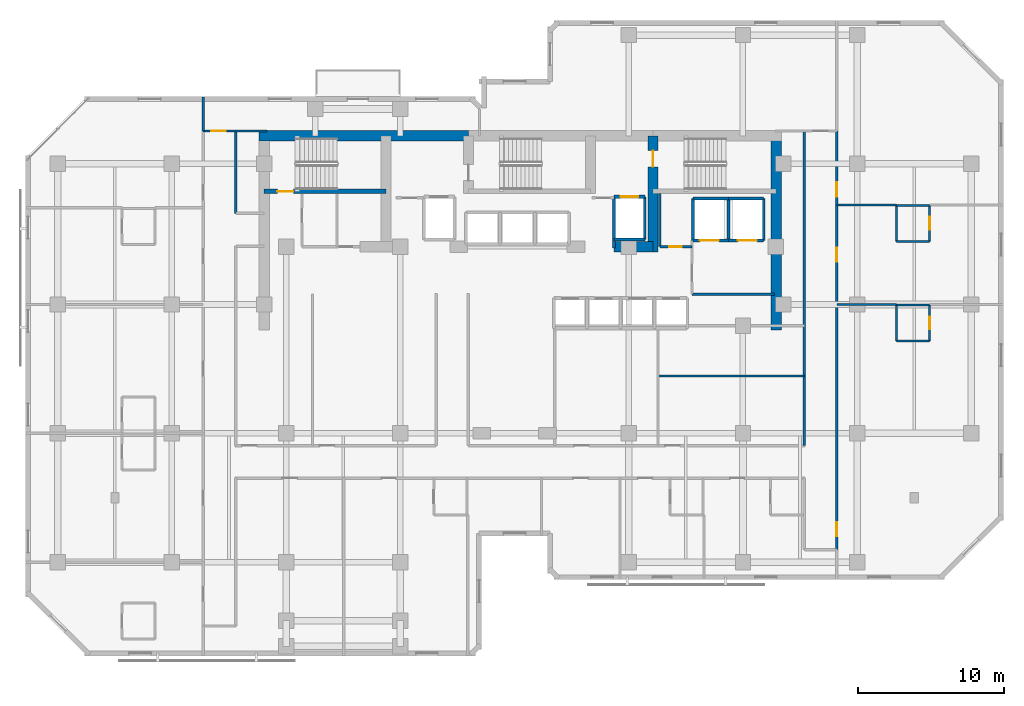
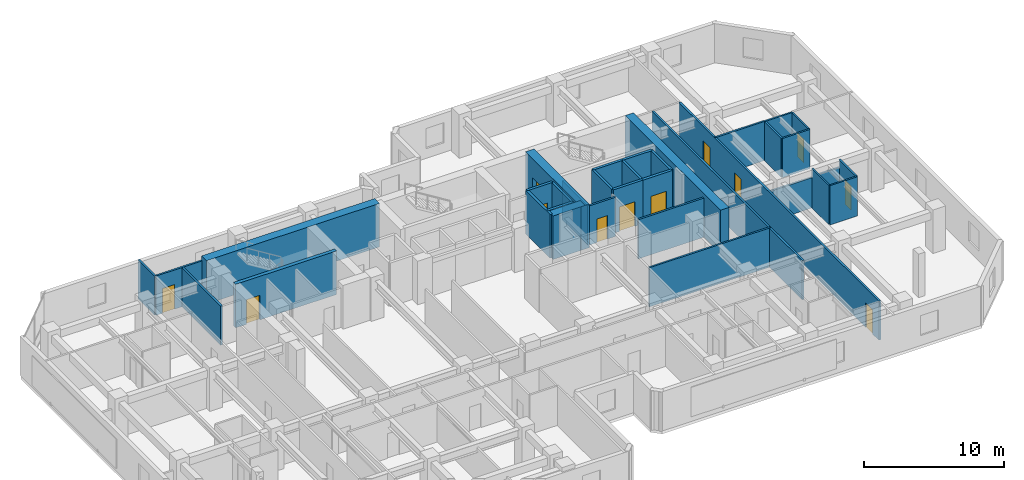
# One storey, part 7 of 11: 35 walls, 12 doors, 12 openings.
"""IFC4 building model written with IfcOpenShell, lengths in metres."""

import ifcopenshell
import ifcopenshell.guid

model = None  # the IFC model being written
_history = None  # IfcOwnerHistory: only IFC2X3 demands one
_inside = {}  # id of a spatial element -> (the spatial element, [elements in it])
_under = {}  # id of a project, library or spatial element -> (it, [spatial elements below it])
_declared = {}  # id of a project -> (the project, [libraries it declares])
_typed = {}  # id of a type object -> (the type object, [elements of that type])
_made_of = {}  # id of a material, layer set ... -> (it, [elements and type objects made of it])


def new_model(schema):
    """Start an empty IFC model of exactly this schema.

    Asked for "IFC4X3", IfcOpenShell would pick the latest addendum, in which some entities
    have other attributes; the version numbers below select the first issue.
    IFC2X3 requires an IfcOwnerHistory on every rooted entity: one is made here for all.
    """
    global model, _history
    if schema == "IFC4X3":
        model = ifcopenshell.file(schema_version=(4, 3, 0, 0))
    else:
        model = ifcopenshell.file(schema=schema)
    _inside.clear()
    _under.clear()
    _declared.clear()
    _typed.clear()
    _made_of.clear()
    _history = None
    if model.schema == "IFC2X3":
        org = make("IfcOrganization", Name="unknown")
        user = make(
            "IfcPersonAndOrganization",
            ThePerson=make("IfcPerson", FamilyName="unknown"),
            TheOrganization=org,
        )
        app = make(
            "IfcApplication",
            ApplicationDeveloper=org,
            Version="unknown",
            ApplicationFullName="unknown",
            ApplicationIdentifier="unknown",
        )
        _history = make(
            "IfcOwnerHistory",
            OwningUser=user,
            OwningApplication=app,
            ChangeAction="ADDED",
            CreationDate=0,
        )
    return model


def make(cls, **values):
    """One entity of the class cls with the attributes given. An attribute that is None is left unset."""
    return model.create_entity(
        cls, **{name: value for name, value in values.items() if value is not None}
    )


def rooted(cls, **values):
    """An entity with a GlobalId (a new one), such as an element, a storey or a relation."""
    return make(cls, GlobalId=ifcopenshell.guid.new(), OwnerHistory=_history, **values)


def si_unit(unit_type, name, prefix=None):
    """IfcSIUnit, for example si_unit("LENGTHUNIT", "METRE", prefix="MILLI")."""
    return make("IfcSIUnit", UnitType=unit_type, Prefix=prefix, Name=name)


def assignment(units):
    """IfcUnitAssignment: the units of a project."""
    return None if units is None else make("IfcUnitAssignment", Units=units)


def point(xyz):
    """IfcCartesianPoint."""
    return None if xyz is None else make("IfcCartesianPoint", Coordinates=xyz)


def direction(xyz):
    """IfcDirection."""
    return None if xyz is None else make("IfcDirection", DirectionRatios=xyz)


def frame(location, z_axis=None, x_axis=None):
    """IfcAxis2Placement3D, a coordinate frame: its origin and axes. An axis left out is left unset."""
    return make(
        "IfcAxis2Placement3D",
        Location=point(location),
        Axis=direction(z_axis),
        RefDirection=direction(x_axis),
    )


def frame_2d(location, x_axis=None):
    """IfcAxis2Placement2D, a coordinate frame in the plane: its origin and x axis."""
    return make(
        "IfcAxis2Placement2D", Location=point(location), RefDirection=direction(x_axis)
    )


def origin():
    """The frame at (0, 0, 0) with its axes left unset."""
    return frame((0.0, 0.0, 0.0))


def place(relative_to, where):
    """IfcLocalPlacement: puts the frame where relative to a parent placement (None: the world)."""
    return make(
        "IfcLocalPlacement", PlacementRelTo=relative_to, RelativePlacement=where
    )


def context(
    kind, dimensions, precision=None, world=None, true_north=None, identifier=None
):
    """IfcGeometricRepresentationContext, for example the 3D "Model" context."""
    return make(
        "IfcGeometricRepresentationContext",
        ContextIdentifier=identifier,
        ContextType=kind,
        CoordinateSpaceDimension=dimensions,
        Precision=precision,
        WorldCoordinateSystem=world,
        TrueNorth=true_north,
    )


def subcontext(parent, identifier, kind, view, scale=None):
    """IfcGeometricRepresentationSubContext, for example "Body" below "Model"."""
    return make(
        "IfcGeometricRepresentationSubContext",
        ContextIdentifier=identifier,
        ContextType=kind,
        ParentContext=parent,
        TargetScale=scale,
        TargetView=view,
    )


def project(units=None, contexts=None):
    """IfcProject with its units and contexts."""
    return rooted(
        "IfcProject",
        Name="project",
        RepresentationContexts=contexts,
        UnitsInContext=assignment(units),
    )


def spatial(cls, under=None, at=None, **own):
    """A site, building, storey or space (cls), placed at a placement, below another one or the project."""
    s = rooted(cls, ObjectPlacement=at, **own)
    if under is not None:
        _under.setdefault(under.id(), (under, []))[1].append(s)
    return s


def profile(cls, at=None, kind="AREA", **sizes):
    """A parametric profile (cls). Its sizes go by their IFC names, for example OverallWidth=200.0."""
    return make(cls, ProfileType=kind, Position=at, **sizes)


def rectangle(**sizes):
    """IfcRectangleProfileDef."""
    return profile("IfcRectangleProfileDef", **sizes)


def extrude(swept, where, along, depth):
    """IfcExtrudedAreaSolid: the profile swept, set in the frame where, extruded along a direction by depth."""
    return make(
        "IfcExtrudedAreaSolid",
        SweptArea=swept,
        Position=where,
        ExtrudedDirection=direction(along),
        Depth=depth,
    )


def shape(context_of_items, identifier, shape_type, items):
    """IfcShapeRepresentation: the items that make up one representation, for example the "Body"."""
    return make(
        "IfcShapeRepresentation",
        ContextOfItems=context_of_items,
        RepresentationIdentifier=identifier,
        RepresentationType=shape_type,
        Items=items,
    )


def material(Name=None, Category=None):
    """IfcMaterial."""
    return make("IfcMaterial", Name=Name, Category=Category)


def layer(
    of_material, thickness, ventilated=None, Name=None, Category=None, Priority=None
):
    """IfcMaterialLayer: one layer of a wall or slab, of a material (None: an air gap)."""
    return make(
        "IfcMaterialLayer",
        Material=of_material,
        LayerThickness=thickness,
        IsVentilated=ventilated,
        Name=Name,
        Category=Category,
        Priority=Priority,
    )


def layer_set(layers, Name=None):
    """IfcMaterialLayerSet."""
    return make("IfcMaterialLayerSet", MaterialLayers=layers, LayerSetName=Name)


def made_of(thing, what):
    """Note that an element or type object is made of a material, layer set ...; save() writes the relation."""
    if what is not None:
        _made_of.setdefault(what.id(), (what, []))[1].append(thing)
    return thing


def type_object(cls, material=None, **own):
    """A type object (cls), such as IfcWallType, which elements share."""
    return made_of(rooted(cls, **own), material)


def element(
    cls,
    number,
    at=None,
    inside=None,
    cuts=None,
    type_object=None,
    material=None,
    context=None,
    identifier="Body",
    shape_type=None,
    held_by="IfcProductDefinitionShape",
    body=None,
    shapes=None,
    **own,
):
    """One element of the class cls, such as IfcWall. Its Tag is "e" and its number.

    at: its placement. inside: the storey or other place that contains it. cuts: it is an
    opening in that element (IfcRelVoidsElement). A single representation is given by context,
    identifier, shape_type and body (its items); several are given by shapes. held_by: the class
    of the entity that holds the representations. save() writes the other relations.
    """
    e = rooted(cls, Tag="e%d" % number, ObjectPlacement=at, **own)
    if body is not None:
        shapes = [shape(context, identifier, shape_type, body)]
    if shapes is not None:
        e.Representation = make(held_by, Representations=shapes)
    if inside is not None:
        _inside.setdefault(inside.id(), (inside, []))[1].append(e)
    if cuts is not None:
        rooted(
            "IfcRelVoidsElement", RelatingBuildingElement=cuts, RelatedOpeningElement=e
        )
    if type_object is not None:
        _typed.setdefault(type_object.id(), (type_object, []))[1].append(e)
    return made_of(e, material)


def fill(opening, filler):
    """IfcRelFillsElement: the door or window that sits in an opening."""
    return rooted(
        "IfcRelFillsElement",
        RelatingOpeningElement=opening,
        RelatedBuildingElement=filler,
    )


def aggregate(whole, parts):
    """IfcRelAggregates: a whole, such as a stair, and the parts it consists of."""
    return rooted("IfcRelAggregates", RelatingObject=whole, RelatedObjects=parts)


def save(model, path):
    """Write the relations noted so far, then the file.

    IfcRelAggregates (storeys below a building ...), IfcRelContainedInSpatialStructure (elements
    in a storey), IfcRelDefinesByType, IfcRelAssociatesMaterial and IfcRelDeclares: one each for
    every whole, place, type object, material and project.
    """
    for whole, parts in _under.values():
        aggregate(whole, parts)
    for where, things in _inside.values():
        rooted(
            "IfcRelContainedInSpatialStructure",
            RelatedElements=things,
            RelatingStructure=where,
        )
    for kind, things in _typed.values():
        rooted("IfcRelDefinesByType", RelatedObjects=things, RelatingType=kind)
    for what, things in _made_of.values():
        rooted("IfcRelAssociatesMaterial", RelatedObjects=things, RelatingMaterial=what)
    for by, libraries in _declared.values():
        rooted("IfcRelDeclares", RelatingContext=by, RelatedDefinitions=libraries)
    model.write(path)


model = new_model("IFC4")

# Units and contexts
model_context = context("Model", 3, precision=1e-05, world=origin(), true_north=direction((0.0, 1.0)))
body_context = subcontext(model_context, "Body", "Model", "MODEL_VIEW")
ifc_project = project(units=[si_unit("LENGTHUNIT", "METRE"), si_unit("AREAUNIT", "SQUARE_METRE"), si_unit("VOLUMEUNIT", "CUBIC_METRE"), si_unit("PLANEANGLEUNIT", "RADIAN"), si_unit("MASSUNIT", "GRAM", prefix="KILO")], contexts=[model_context])

# Site, building, storey
site_placement = place(None, origin())
site = spatial("IfcSite", under=ifc_project, at=site_placement, CompositionType="ELEMENT")
building_placement = place(site_placement, origin())
building = spatial("IfcBuilding", under=site, at=building_placement, Name="Kestravale Grand Hotel", CompositionType="ELEMENT")
storey_placement = place(building_placement, frame((0.0, 0.0, 180.199951171875)))
storey = spatial("IfcBuildingStorey", under=building, at=storey_placement, Name="L45", CompositionType="ELEMENT", Elevation=180.199951171875)

# Walls
ifc_material_1 = material(Name="Concrete f'c 60 MPa", Category="concrete")
ifc_layer_1 = layer(ifc_material_1, 0.699951171875)
ifc_layer_set_1 = layer_set([ifc_layer_1], Name="EW-CORE-700")
wall_type_1 = type_object("IfcWallType", Name="EW-CORE-700", PredefinedType="SHEAR", material=ifc_layer_set_1)
wall_1_placement = place(storey_placement, frame((21.550048828125, 40.320068359375, 0.0), z_axis=(0.0, 0.0, 1.0), x_axis=(1.0, 0.0, 0.0)))
element("IfcWall", 1, at=wall_1_placement, inside=storey, type_object=wall_type_1, Name="L45 core shear wall N1", PredefinedType="SHEAR", context=body_context, shape_type="SweptSolid", body=[
    extrude(rectangle(XDim=14.300048828125, YDim=0.699951171875, at=frame_2d((7.14990234375, 0.0))), origin(), (0.0, 0.0, 1.0), 3.800048828125),
])
wall_2_placement = place(storey_placement, frame((56.8701171875, 27.050048828125, 0.0), z_axis=(0.0, 0.0, 1.0), x_axis=(0.0, 1.0, 0.0)))
element("IfcWall", 2, at=wall_2_placement, inside=storey, type_object=wall_type_1, Name="L45 core shear wall E1", PredefinedType="SHEAR", context=body_context, shape_type="SweptSolid", body=[
    extrude(rectangle(XDim=13.619873046875, YDim=0.699951171875, at=frame_2d((6.81005859375, 0.0))), origin(), (0.0, 0.0, 1.0), 3.800048828125),
])
wall_3_placement = place(storey_placement, frame((45.81005859375, 32.75, 0.0), z_axis=(0.0, 0.0, 1.0), x_axis=(1.0, 0.0, 0.0)))
element("IfcWall", 3, at=wall_3_placement, inside=storey, type_object=wall_type_1, Name="L45 core shear wall S2", PredefinedType="SHEAR", context=body_context, shape_type="SweptSolid", body=[
    extrude(rectangle(XDim=2.639892578125, YDim=0.699951171875, at=frame_2d((1.31982421875, 0.0))), origin(), (0.0, 0.0, 1.0), 3.800048828125),
])

# Wall, opening, door
wall_4_placement = place(storey_placement, frame((48.449951171875, 32.39990234375, 0.0), z_axis=(0.0, 0.0, 1.0), x_axis=(0.0, 1.0, 0.0)))
wall_4 = element("IfcWall", 4, at=wall_4_placement, inside=storey, type_object=wall_type_1, Name="L45 core shear wall X4", PredefinedType="SHEAR", context=body_context, shape_type="SweptSolid", body=[
    extrude(rectangle(XDim=7.920166015625, YDim=0.699951171875, at=frame_2d((3.9599609375, 0.0))), origin(), (0.0, 0.0, 1.0), 3.800048828125),
])
opening_1_placement = place(wall_4_placement, frame((5.800048828125, 0.0, 0.0)))
opening_1 = element("IfcOpeningElement", 5, at=opening_1_placement, cuts=wall_4, Name="Opening D-ST-1100", PredefinedType="OPENING", context=body_context, shape_type="SweptSolid", body=[
    extrude(rectangle(XDim=1.10009765625, YDim=2.14990234375, at=frame_2d((0.550048828125, 1.074951171875))), frame((0.0, 0.35986328125, 0.0), z_axis=(0.0, -1.0, 0.0), x_axis=(1.0, 0.0, 0.0)), (0.0, 0.0, 1.0), 0.719970703125),
])
ifc_material_2 = material(Name="Galvanised 90-minute fire-rated steel stair door", Category="steel")
door_type_1 = type_object("IfcDoorType", Name="D-ST-1100", OperationType="NOTDEFINED", PredefinedType="DOOR", material=ifc_material_2)
door_1_placement = place(opening_1_placement, origin())
door_1 = element("IfcDoor", 6, at=door_1_placement, inside=storey, type_object=door_type_1, Name="L45 Stair ST-3 FSAE fire door", OperationType="SINGLE_SWING_RIGHT", OverallHeight=2.14990234375, OverallWidth=1.10009765625, PredefinedType="DOOR", context=body_context, shape_type="SweptSolid", body=[
    extrude(rectangle(XDim=1.10009765625, YDim=2.14990234375, at=frame_2d((0.550048828125, 1.074951171875))), frame((0.0, 0.02490234375, 0.0), z_axis=(0.0, -1.0, 0.0), x_axis=(1.0, 0.0, 0.0)), (0.0, 0.0, 1.0), 0.050048828125),
])
fill(opening_1, door_1)

ifc_material_3 = material(Name="Concrete f'c 45 MPa", Category="concrete")
ifc_layer_2 = layer(ifc_material_3, 0.300048828125)
ifc_layer_set_2 = layer_set([ifc_layer_2], Name="EW-STAIR-300")
wall_type_2 = type_object("IfcWallType", Name="EW-STAIR-300", PredefinedType="SHEAR", material=ifc_layer_set_2)
wall_5_placement = place(storey_placement, frame((21.89990234375, 36.52001953125, 0.0), z_axis=(0.0, 0.0, 1.0), x_axis=(1.0, 0.0, 0.0)))
wall_5 = element("IfcWall", 7, at=wall_5_placement, inside=storey, type_object=wall_type_2, Name="L45 stair enclosure shear wall SST1", PredefinedType="SHEAR", context=body_context, shape_type="SweptSolid", body=[
    extrude(rectangle(XDim=8.320068359375, YDim=0.300048828125, at=frame_2d((4.16015625, 0.0))), origin(), (0.0, 0.0, 1.0), 3.800048828125),
])
opening_2_placement = place(wall_5_placement, frame((0.89990234375, 0.0, 0.0)))
opening_2 = element("IfcOpeningElement", 8, at=opening_2_placement, cuts=wall_5, Name="Opening D-ST-1100", PredefinedType="OPENING", context=body_context, shape_type="SweptSolid", body=[
    extrude(rectangle(XDim=1.10009765625, YDim=2.14990234375, at=frame_2d((0.550048828125, 1.074951171875))), frame((0.0, 0.159912109375, 0.0), z_axis=(0.0, -1.0, 0.0), x_axis=(1.0, 0.0, 0.0)), (0.0, 0.0, 1.0), 0.320068359375),
])
door_2_placement = place(opening_2_placement, origin())
door_2 = element("IfcDoor", 9, at=door_2_placement, inside=storey, type_object=door_type_1, Name="L45 Stair ST-1 fire door", OperationType="SINGLE_SWING_RIGHT", OverallHeight=2.14990234375, OverallWidth=1.10009765625, PredefinedType="DOOR", context=body_context, shape_type="SweptSolid", body=[
    extrude(rectangle(XDim=1.10009765625, YDim=2.14990234375, at=frame_2d((0.550048828125, 1.074951171875))), frame((0.0, 0.02490234375, 0.0), z_axis=(0.0, -1.0, 0.0), x_axis=(1.0, 0.0, 0.0)), (0.0, 0.0, 1.0), 0.050048828125),
])
fill(opening_2, door_2)

# Wall
ifc_material_4 = material(Name="Acoustic fire-rated gypsum board partition", Category="other")
ifc_layer_3 = layer(ifc_material_4, 0.159912109375)
ifc_layer_set_3 = layer_set([ifc_layer_3], Name="IW-CORR-160")
wall_type_3 = type_object("IfcWallType", Name="IW-CORR-160", PredefinedType="PARTITIONING", material=ifc_layer_set_3)
wall_6_placement = place(storey_placement, frame((51.1201171875, 29.5, 0.0), z_axis=(0.0, 0.0, 1.0), x_axis=(1.0, 0.0, 0.0)))
element("IfcWall", 10, at=wall_6_placement, inside=storey, type_object=wall_type_3, Name="L45 service lift lobby wall", PredefinedType="PARTITIONING", context=body_context, shape_type="SweptSolid", body=[
    extrude(rectangle(XDim=5.6298828125, YDim=0.159912109375, at=frame_2d((2.81494140625, 0.0))), origin(), (0.0, 0.0, 1.0), 3.420166015625),
])

# Wall, opening, door
wall_7_placement = place(storey_placement, frame((48.919921875, 32.75, 0.0), z_axis=(0.0, 0.0, 1.0), x_axis=(1.0, 0.0, 0.0)))
wall_7 = element("IfcWall", 11, at=wall_7_placement, inside=storey, type_object=wall_type_3, Name="W-L45-CES", PredefinedType="PARTITIONING", context=body_context, shape_type="SweptSolid", body=[
    extrude(rectangle(XDim=2.2001953125, YDim=0.159912109375, at=frame_2d((1.10009765625, 0.0))), origin(), (0.0, 0.0, 1.0), 3.420166015625),
])
opening_3_placement = place(wall_7_placement, frame((0.64990234375, 0.0, 0.0)))
opening_3 = element("IfcOpeningElement", 12, at=opening_3_placement, cuts=wall_7, Name="Opening D-SH-860", PredefinedType="OPENING", context=body_context, shape_type="SweptSolid", body=[
    extrude(rectangle(XDim=0.860107421875, YDim=2.050048828125, at=frame_2d((0.43017578125, 1.02490234375))), frame((0.0, 0.08984375, 0.0), z_axis=(0.0, -1.0, 0.0), x_axis=(1.0, 0.0, 0.0)), (0.0, 0.0, 1.0), 0.179931640625),
])
ifc_material_5 = material(Name="Galvanised 90-minute riser fire door", Category="steel")
door_type_2 = type_object("IfcDoorType", Name="D-SH-860", OperationType="NOTDEFINED", PredefinedType="DOOR", material=ifc_material_5)
door_3_placement = place(opening_3_placement, origin())
door_3 = element("IfcDoor", 13, at=door_3_placement, inside=storey, type_object=door_type_2, Name="L45 CSTO1 door", OperationType="SINGLE_SWING_RIGHT", OverallHeight=2.050048828125, OverallWidth=0.860107421875, PredefinedType="DOOR", context=body_context, shape_type="SweptSolid", body=[
    extrude(rectangle(XDim=0.860107421875, YDim=2.050048828125, at=frame_2d((0.43017578125, 1.02490234375))), frame((0.0, 0.02490234375, 0.0), z_axis=(0.0, -1.0, 0.0), x_axis=(1.0, 0.0, 0.0)), (0.0, 0.0, 1.0), 0.050048828125),
])
fill(opening_3, door_3)

# Wall
wall_8_placement = place(storey_placement, frame((19.9599609375, 35.02001953125, 0.0), z_axis=(0.0, 0.0, 1.0), x_axis=(0.0, 1.0, 0.0)))
element("IfcWall", 14, at=wall_8_placement, inside=storey, type_object=wall_type_3, Name="W-L45-SW-EN", PredefinedType="PARTITIONING", context=body_context, shape_type="SweptSolid", body=[
    extrude(rectangle(XDim=5.6298828125, YDim=0.159912109375, at=frame_2d((2.81494140625, 0.0))), origin(), (0.0, 0.0, 1.0), 3.420166015625),
])

# Wall, openings, doors
wall_9_placement = place(storey_placement, frame((61.010009765625, 12.050048828125, 0.0), z_axis=(0.0, 0.0, 1.0), x_axis=(0.0, 1.0, 0.0)))
wall_9 = element("IfcWall", 15, at=wall_9_placement, inside=storey, type_object=wall_type_3, Name="W-L45-SE-E", PredefinedType="PARTITIONING", context=body_context, shape_type="SweptSolid", body=[
    extrude(rectangle(XDim=28.599853515625, YDim=0.159912109375, at=frame_2d((14.2998046875, 0.0))), origin(), (0.0, 0.0, 1.0), 3.420166015625),
])
opening_4_placement = place(wall_9_placement, frame((0.925048828125, 0.0, 0.0)))
opening_4 = element("IfcOpeningElement", 16, at=opening_4_placement, cuts=wall_9, Name="Opening D-GUEST-950", PredefinedType="OPENING", context=body_context, shape_type="SweptSolid", body=[
    extrude(rectangle(XDim=0.949951171875, YDim=2.10009765625, at=frame_2d((0.47509765625, 1.050048828125))), frame((0.0, 0.08984375, 0.0), z_axis=(0.0, -1.0, 0.0), x_axis=(1.0, 0.0, 0.0)), (0.0, 0.0, 1.0), 0.179931640625),
])
opening_5_placement = place(wall_9_placement, frame((19.675048828125, 0.0, 0.0)))
opening_5 = element("IfcOpeningElement", 17, at=opening_5_placement, cuts=wall_9, Name="Opening D-GUEST-950", PredefinedType="OPENING", context=body_context, shape_type="SweptSolid", body=[
    extrude(rectangle(XDim=0.949951171875, YDim=2.10009765625, at=frame_2d((0.47509765625, 1.050048828125))), frame((0.0, 0.08984375, 0.0), z_axis=(0.0, -1.0, 0.0), x_axis=(1.0, 0.0, 0.0)), (0.0, 0.0, 1.0), 0.179931640625),
])
opening_6_placement = place(wall_9_placement, frame((24.10009765625, 0.0, 0.0)))
opening_6 = element("IfcOpeningElement", 18, at=opening_6_placement, cuts=wall_9, Name="Opening D-GUEST-1000", PredefinedType="OPENING", context=body_context, shape_type="SweptSolid", body=[
    extrude(rectangle(XDim=1.0, YDim=2.14990234375, at=frame_2d((0.5, 1.074951171875))), frame((0.0, 0.08984375, 0.0), z_axis=(0.0, -1.0, 0.0), x_axis=(1.0, 0.0, 0.0)), (0.0, 0.0, 1.0), 0.179931640625),
])
ifc_material_6 = material(Name="Accessible walnut veneer hotel entrance fire door", Category="wood")
door_type_3 = type_object("IfcDoorType", Name="D-GUEST-1000", OperationType="NOTDEFINED", PredefinedType="DOOR", material=ifc_material_6)
door_4_placement = place(opening_6_placement, origin())
door_4 = element("IfcDoor", 19, at=door_4_placement, inside=storey, type_object=door_type_3, Name="D-L45-AMEW", OperationType="SINGLE_SWING_RIGHT", OverallHeight=2.14990234375, OverallWidth=1.0, PredefinedType="DOOR", context=body_context, shape_type="SweptSolid", body=[
    extrude(rectangle(XDim=1.0, YDim=2.14990234375, at=frame_2d((0.5, 1.074951171875))), frame((0.0, 0.02490234375, 0.0), z_axis=(0.0, -1.0, 0.0), x_axis=(1.0, 0.0, 0.0)), (0.0, 0.0, 1.0), 0.050048828125),
])
fill(opening_6, door_4)
ifc_material_7 = material(Name="Walnut veneer hotel guestroom entrance fire door", Category="wood")
door_type_4 = type_object("IfcDoorType", Name="D-GUEST-950", OperationType="NOTDEFINED", PredefinedType="DOOR", material=ifc_material_7)
door_5_placement = place(opening_4_placement, origin())
door_5 = element("IfcDoor", 20, at=door_5_placement, inside=storey, type_object=door_type_4, Name="D-L45-U08-ENT", OperationType="SINGLE_SWING_LEFT", OverallHeight=2.10009765625, OverallWidth=0.949951171875, PredefinedType="DOOR", context=body_context, shape_type="SweptSolid", body=[
    extrude(rectangle(XDim=0.949951171875, YDim=2.10009765625, at=frame_2d((0.47509765625, 1.050048828125))), frame((0.0, 0.02490234375, 0.0), z_axis=(0.0, -1.0, 0.0), x_axis=(1.0, 0.0, 0.0)), (0.0, 0.0, 1.0), 0.050048828125),
])
fill(opening_4, door_5)
door_6_placement = place(opening_5_placement, origin())
door_6 = element("IfcDoor", 21, at=door_6_placement, inside=storey, type_object=door_type_4, Name="D-L45-U09-ENT", OperationType="SINGLE_SWING_LEFT", OverallHeight=2.10009765625, OverallWidth=0.949951171875, PredefinedType="DOOR", context=body_context, shape_type="SweptSolid", body=[
    extrude(rectangle(XDim=0.949951171875, YDim=2.10009765625, at=frame_2d((0.47509765625, 1.050048828125))), frame((0.0, 0.02490234375, 0.0), z_axis=(0.0, -1.0, 0.0), x_axis=(1.0, 0.0, 0.0)), (0.0, 0.0, 1.0), 0.050048828125),
])
fill(opening_5, door_6)

# Walls
wall_10_placement = place(storey_placement, frame((58.7900390625, 19.159912109375, 0.0), z_axis=(0.0, 0.0, 1.0), x_axis=(0.0, 1.0, 0.0)))
element("IfcWall", 22, at=wall_10_placement, inside=storey, type_object=wall_type_3, Name="W-L45-SE-WU", PredefinedType="PARTITIONING", context=body_context, shape_type="SweptSolid", body=[
    extrude(rectangle(XDim=21.489990234375, YDim=0.159912109375, at=frame_2d((10.7451171875, 0.0))), origin(), (0.0, 0.0, 1.0), 3.420166015625),
])
ifc_material_8 = material(Name="Moisture-resistant tile-backer plumbing chase wall", Category="other")
ifc_layer_4 = layer(ifc_material_8, 0.139892578125)
ifc_layer_set_4 = layer_set([ifc_layer_4], Name="IW-PLB-140")
wall_type_4 = type_object("IfcWallType", Name="IW-PLB-140", PredefinedType="PLUMBINGWALL", material=ifc_layer_set_4)
wall_11_placement = place(storey_placement, frame((65.10009765625, 26.31005859375, 0.0), z_axis=(0.0, 0.0, 1.0), x_axis=(0.0, 1.0, 0.0)))
element("IfcWall", 23, at=wall_11_placement, inside=storey, type_object=wall_type_4, Name="W-L45-U08-BW", PredefinedType="PLUMBINGWALL", context=body_context, shape_type="SweptSolid", body=[
    extrude(rectangle(XDim=2.449951171875, YDim=0.139892578125, at=frame_2d((1.22509765625, 0.0))), origin(), (0.0, 0.0, 1.0), 3.420166015625),
])

# Wall, opening, door
wall_12_placement = place(storey_placement, frame((67.35009765625, 26.31005859375, 0.0), z_axis=(0.0, 0.0, 1.0), x_axis=(0.0, 1.0, 0.0)))
wall_12 = element("IfcWall", 24, at=wall_12_placement, inside=storey, type_object=wall_type_4, Name="W-L45-U08-BE", PredefinedType="PLUMBINGWALL", context=body_context, shape_type="SweptSolid", body=[
    extrude(rectangle(XDim=2.449951171875, YDim=0.139892578125, at=frame_2d((1.22509765625, 0.0))), origin(), (0.0, 0.0, 1.0), 3.420166015625),
])
opening_7_placement = place(wall_12_placement, frame((0.784912109375, 0.0, 0.0)))
opening_7 = element("IfcOpeningElement", 25, at=opening_7_placement, cuts=wall_12, Name="Opening D-BATH-880", PredefinedType="OPENING", context=body_context, shape_type="SweptSolid", body=[
    extrude(rectangle(XDim=0.8798828125, YDim=2.050048828125, at=frame_2d((0.43994140625, 1.02490234375))), frame((0.0, 0.079833984375, 0.0), z_axis=(0.0, -1.0, 0.0), x_axis=(1.0, 0.0, 0.0)), (0.0, 0.0, 1.0), 0.159912109375),
])
ifc_material_9 = material(Name="Moisture-sealed walnut en-suite bathroom door", Category="wood")
door_type_5 = type_object("IfcDoorType", Name="D-BATH-880", OperationType="NOTDEFINED", PredefinedType="DOOR", material=ifc_material_9)
door_7_placement = place(opening_7_placement, origin())
door_7 = element("IfcDoor", 26, at=door_7_placement, inside=storey, type_object=door_type_5, Name="D-L45-U08-BATH", OperationType="SINGLE_SWING_RIGHT", OverallHeight=2.050048828125, OverallWidth=0.8798828125, PredefinedType="DOOR", context=body_context, shape_type="SweptSolid", body=[
    extrude(rectangle(XDim=0.8798828125, YDim=2.050048828125, at=frame_2d((0.43994140625, 1.02490234375))), frame((0.0, 0.02490234375, 0.0), z_axis=(0.0, -1.0, 0.0), x_axis=(1.0, 0.0, 0.0)), (0.0, 0.0, 1.0), 0.050048828125),
])
fill(opening_7, door_7)

# Walls
wall_13_placement = place(storey_placement, frame((65.10009765625, 26.31005859375, 0.0), z_axis=(0.0, 0.0, 1.0), x_axis=(1.0, 0.0, 0.0)))
element("IfcWall", 27, at=wall_13_placement, inside=storey, type_object=wall_type_4, Name="W-L45-U08-BS", PredefinedType="PLUMBINGWALL", context=body_context, shape_type="SweptSolid", body=[
    extrude(rectangle(XDim=2.25, YDim=0.139892578125, at=frame_2d((1.125, 0.0))), origin(), (0.0, 0.0, 1.0), 3.420166015625),
])
wall_14_placement = place(storey_placement, frame((65.10009765625, 28.760009765625, 0.0), z_axis=(0.0, 0.0, 1.0), x_axis=(1.0, 0.0, 0.0)))
element("IfcWall", 28, at=wall_14_placement, inside=storey, type_object=wall_type_4, Name="W-L45-U08-BN", PredefinedType="PLUMBINGWALL", context=body_context, shape_type="SweptSolid", body=[
    extrude(rectangle(XDim=2.25, YDim=0.139892578125, at=frame_2d((1.125, 0.0))), origin(), (0.0, 0.0, 1.0), 2.77001953125),
])
wall_15_placement = place(storey_placement, frame((65.10009765625, 33.110107421875, 0.0), z_axis=(0.0, 0.0, 1.0), x_axis=(0.0, 1.0, 0.0)))
element("IfcWall", 29, at=wall_15_placement, inside=storey, type_object=wall_type_4, Name="W-L45-U09-BW", PredefinedType="PLUMBINGWALL", context=body_context, shape_type="SweptSolid", body=[
    extrude(rectangle(XDim=2.449951171875, YDim=0.139892578125, at=frame_2d((1.22509765625, 0.0))), origin(), (0.0, 0.0, 1.0), 3.420166015625),
])

# Wall, opening, door
wall_16_placement = place(storey_placement, frame((67.35009765625, 33.110107421875, 0.0), z_axis=(0.0, 0.0, 1.0), x_axis=(0.0, 1.0, 0.0)))
wall_16 = element("IfcWall", 30, at=wall_16_placement, inside=storey, type_object=wall_type_4, Name="W-L45-U09-BE", PredefinedType="PLUMBINGWALL", context=body_context, shape_type="SweptSolid", body=[
    extrude(rectangle(XDim=2.449951171875, YDim=0.139892578125, at=frame_2d((1.22509765625, 0.0))), origin(), (0.0, 0.0, 1.0), 3.420166015625),
])
opening_8_placement = place(wall_16_placement, frame((0.784912109375, 0.0, 0.0)))
opening_8 = element("IfcOpeningElement", 31, at=opening_8_placement, cuts=wall_16, Name="Opening D-BATH-880", PredefinedType="OPENING", context=body_context, shape_type="SweptSolid", body=[
    extrude(rectangle(XDim=0.8798828125, YDim=2.050048828125, at=frame_2d((0.43994140625, 1.02490234375))), frame((0.0, 0.079833984375, 0.0), z_axis=(0.0, -1.0, 0.0), x_axis=(1.0, 0.0, 0.0)), (0.0, 0.0, 1.0), 0.159912109375),
])
door_8_placement = place(opening_8_placement, origin())
door_8 = element("IfcDoor", 32, at=door_8_placement, inside=storey, type_object=door_type_5, Name="D-L45-U09-BATH", OperationType="SINGLE_SWING_RIGHT", OverallHeight=2.050048828125, OverallWidth=0.8798828125, PredefinedType="DOOR", context=body_context, shape_type="SweptSolid", body=[
    extrude(rectangle(XDim=0.8798828125, YDim=2.050048828125, at=frame_2d((0.43994140625, 1.02490234375))), frame((0.0, 0.02490234375, 0.0), z_axis=(0.0, -1.0, 0.0), x_axis=(1.0, 0.0, 0.0)), (0.0, 0.0, 1.0), 0.050048828125),
])
fill(opening_8, door_8)

# Walls
for number, where, z_axis, x_axis, name in (
    (33, (65.10009765625, 33.110107421875, 0.0), (0.0, 0.0, 1.0), (1.0, 0.0, 0.0), "W-L45-U09-BS"),
    (34, (65.10009765625, 35.56005859375, 0.0), (0.0, 0.0, 1.0), (1.0, 0.0, 0.0), "W-L45-U09-BN"),
):
    element("IfcWall", number, at=place(storey_placement, frame(where, z_axis=z_axis, x_axis=x_axis)), inside=storey, type_object=wall_type_4, Name=name, PredefinedType="PLUMBINGWALL", context=body_context, shape_type="SweptSolid", body=[
        extrude(rectangle(XDim=2.25, YDim=0.139892578125, at=frame_2d((1.125, 0.0))), origin(), (0.0, 0.0, 1.0), 3.420166015625),
    ])
ifc_material_10 = material(Name="Concrete f'c 45 MPa", Category="concrete")
ifc_layer_5 = layer(ifc_material_10, 0.199951171875)
ifc_layer_set_5 = layer_set([ifc_layer_5], Name="IW-SHAFT-200")
wall_type_5 = type_object("IfcWallType", Name="IW-SHAFT-200", PredefinedType="SHEAR", material=ifc_layer_set_5)
for number, where, z_axis, x_axis, name in (
    (35, (51.179931640625, 33.169921875, 0.0), (0.0, 0.0, 1.0), (0.0, 1.0, 0.0), "L45 SL-1 west shaft wall"),
    (36, (53.60009765625, 33.169921875, 0.0), (0.0, 0.0, 1.0), (0.0, 1.0, 0.0), "L45 SL-2 west shaft wall"),
    (37, (56.02001953125, 33.169921875, 0.0), (0.0, 0.0, 1.0), (0.0, 1.0, 0.0), "L45 SL-2 east shaft wall"),
):
    element("IfcWall", number, at=place(storey_placement, frame(where, z_axis=z_axis, x_axis=x_axis)), inside=storey, type_object=wall_type_5, Name=name, PredefinedType="SHEAR", context=body_context, shape_type="SweptSolid", body=[
        extrude(rectangle(XDim=2.860107421875, YDim=0.199951171875, at=frame_2d((1.43017578125, 0.0))), origin(), (0.0, 0.0, 1.0), 3.800048828125),
    ])
wall_17_placement = place(storey_placement, frame((45.804931640625, 32.64990234375, 0.0), z_axis=(0.0, 0.0, 1.0), x_axis=(0.0, 1.0, 0.0)))
element("IfcWall", 38, at=wall_17_placement, inside=storey, type_object=wall_type_5, Name="L45 FL-2 west shaft wall", PredefinedType="SHEAR", context=body_context, shape_type="SweptSolid", body=[
    extrude(rectangle(XDim=3.505126953125, YDim=0.199951171875, at=frame_2d((1.75244140625, 0.0))), origin(), (0.0, 0.0, 1.0), 3.800048828125),
])
wall_18_placement = place(storey_placement, frame((47.89501953125, 33.2451171875, 0.0), z_axis=(0.0, 0.0, 1.0), x_axis=(0.0, 1.0, 0.0)))
element("IfcWall", 39, at=wall_18_placement, inside=storey, type_object=wall_type_5, Name="L45 FL-2 east shaft wall", PredefinedType="SHEAR", context=body_context, shape_type="SweptSolid", body=[
    extrude(rectangle(XDim=2.909912109375, YDim=0.199951171875, at=frame_2d((1.455078125, 0.0))), origin(), (0.0, 0.0, 1.0), 3.800048828125),
])
ifc_material_11 = material(Name="Concrete f'c 45 MPa", Category="concrete")
ifc_layer_6 = layer(ifc_material_11, 0.219970703125)
ifc_layer_set_6 = layer_set([ifc_layer_6], Name="IW-SHAFT-220")
wall_type_6 = type_object("IfcWallType", Name="IW-SHAFT-220", PredefinedType="SHEAR", material=ifc_layer_set_6)
wall_19_placement = place(storey_placement, frame((51.179931640625, 36.030029296875, 0.0), z_axis=(0.0, 0.0, 1.0), x_axis=(1.0, 0.0, 0.0)))
element("IfcWall", 40, at=wall_19_placement, inside=storey, type_object=wall_type_6, Name="L45 SL-1 north shaft wall", PredefinedType="SHEAR", context=body_context, shape_type="SweptSolid", body=[
    extrude(rectangle(XDim=2.420166015625, YDim=0.219970703125, at=frame_2d((1.2099609375, 0.0))), origin(), (0.0, 0.0, 1.0), 3.800048828125),
])

# Wall, opening, door
wall_20_placement = place(storey_placement, frame((51.179931640625, 33.169921875, 0.0), z_axis=(0.0, 0.0, 1.0), x_axis=(1.0, 0.0, 0.0)))
wall_20 = element("IfcWall", 41, at=wall_20_placement, inside=storey, type_object=wall_type_6, Name="L45 SL-1 south shaft wall", PredefinedType="SHEAR", context=body_context, shape_type="SweptSolid", body=[
    extrude(rectangle(XDim=2.420166015625, YDim=0.219970703125, at=frame_2d((1.2099609375, 0.0))), origin(), (0.0, 0.0, 1.0), 3.800048828125),
])
opening_9_placement = place(wall_20_placement, frame((0.469970703125, 0.0, 0.0)))
opening_9 = element("IfcOpeningElement", 42, at=opening_9_placement, cuts=wall_20, Name="Opening LD-SVC-1300", PredefinedType="OPENING", context=body_context, shape_type="SweptSolid", body=[
    extrude(rectangle(XDim=1.300048828125, YDim=2.14990234375, at=frame_2d((0.64990234375, 1.074951171875))), frame((0.0, 0.119873046875, 0.0), z_axis=(0.0, -1.0, 0.0), x_axis=(1.0, 0.0, 0.0)), (0.0, 0.0, 1.0), 0.239990234375),
])
ifc_material_12 = material(Name="Heavy-duty service sliding elevator landing door", Category="steel")
door_type_6 = type_object("IfcDoorType", Name="LD-SVC-1300", OperationType="NOTDEFINED", PredefinedType="DOOR", material=ifc_material_12)
door_9_placement = place(opening_9_placement, origin())
door_9 = element("IfcDoor", 43, at=door_9_placement, inside=storey, type_object=door_type_6, Name="L45 SL-1 elevator landing sliding door", OperationType="DOUBLE_DOOR_SLIDING", OverallHeight=2.14990234375, OverallWidth=1.300048828125, PredefinedType="DOOR", context=body_context, shape_type="SweptSolid", body=[
    extrude(rectangle(XDim=1.300048828125, YDim=2.14990234375, at=frame_2d((0.64990234375, 1.074951171875))), frame((0.0, 0.02490234375, 0.0), z_axis=(0.0, -1.0, 0.0), x_axis=(1.0, 0.0, 0.0)), (0.0, 0.0, 1.0), 0.050048828125),
])
fill(opening_9, door_9)

# Wall
wall_21_placement = place(storey_placement, frame((53.60009765625, 36.030029296875, 0.0), z_axis=(0.0, 0.0, 1.0), x_axis=(1.0, 0.0, 0.0)))
element("IfcWall", 44, at=wall_21_placement, inside=storey, type_object=wall_type_6, Name="L45 SL-2 north shaft wall", PredefinedType="SHEAR", context=body_context, shape_type="SweptSolid", body=[
    extrude(rectangle(XDim=2.419921875, YDim=0.219970703125, at=frame_2d((1.2099609375, 0.0))), origin(), (0.0, 0.0, 1.0), 3.800048828125),
])

# Wall, opening, door
wall_22_placement = place(storey_placement, frame((53.60009765625, 33.169921875, 0.0), z_axis=(0.0, 0.0, 1.0), x_axis=(1.0, 0.0, 0.0)))
wall_22 = element("IfcWall", 45, at=wall_22_placement, inside=storey, type_object=wall_type_6, Name="L45 SL-2 south shaft wall", PredefinedType="SHEAR", context=body_context, shape_type="SweptSolid", body=[
    extrude(rectangle(XDim=2.419921875, YDim=0.219970703125, at=frame_2d((1.2099609375, 0.0))), origin(), (0.0, 0.0, 1.0), 3.800048828125),
])
opening_10_placement = place(wall_22_placement, frame((0.64990234375, 0.0, 0.0)))
opening_10 = element("IfcOpeningElement", 46, at=opening_10_placement, cuts=wall_22, Name="Opening LD-SVC-1300", PredefinedType="OPENING", context=body_context, shape_type="SweptSolid", body=[
    extrude(rectangle(XDim=1.300048828125, YDim=2.14990234375, at=frame_2d((0.64990234375, 1.074951171875))), frame((0.0, 0.119873046875, 0.0), z_axis=(0.0, -1.0, 0.0), x_axis=(1.0, 0.0, 0.0)), (0.0, 0.0, 1.0), 0.239990234375),
])
door_10_placement = place(opening_10_placement, origin())
door_10 = element("IfcDoor", 47, at=door_10_placement, inside=storey, type_object=door_type_6, Name="L45 SL-2 elevator landing sliding door", OperationType="DOUBLE_DOOR_SLIDING", OverallHeight=2.14990234375, OverallWidth=1.300048828125, PredefinedType="DOOR", context=body_context, shape_type="SweptSolid", body=[
    extrude(rectangle(XDim=1.300048828125, YDim=2.14990234375, at=frame_2d((0.64990234375, 1.074951171875))), frame((0.0, 0.02490234375, 0.0), z_axis=(0.0, -1.0, 0.0), x_axis=(1.0, 0.0, 0.0)), (0.0, 0.0, 1.0), 0.050048828125),
])
fill(opening_10, door_10)

wall_23_placement = place(storey_placement, frame((45.804931640625, 36.155029296875, 0.0), z_axis=(0.0, 0.0, 1.0), x_axis=(1.0, 0.0, 0.0)))
wall_23 = element("IfcWall", 48, at=wall_23_placement, inside=storey, type_object=wall_type_6, Name="L45 FL-2 north shaft wall", PredefinedType="SHEAR", context=body_context, shape_type="SweptSolid", body=[
    extrude(rectangle(XDim=2.090087890625, YDim=0.219970703125, at=frame_2d((1.044921875, 0.0))), origin(), (0.0, 0.0, 1.0), 3.800048828125),
])
opening_11_placement = place(wall_23_placement, frame((0.445068359375, 0.0, 0.0)))
opening_11 = element("IfcOpeningElement", 49, at=opening_11_placement, cuts=wall_23, Name="Opening LD-FSAE-1200", PredefinedType="OPENING", context=body_context, shape_type="SweptSolid", body=[
    extrude(rectangle(XDim=1.199951171875, YDim=2.14990234375, at=frame_2d((0.60009765625, 1.074951171875))), frame((0.0, 0.119873046875, 0.0), z_axis=(0.0, -1.0, 0.0), x_axis=(1.0, 0.0, 0.0)), (0.0, 0.0, 1.0), 0.239990234375),
])
ifc_material_13 = material(Name="Stainless fire-service sliding elevator landing door", Category="steel")
door_type_7 = type_object("IfcDoorType", Name="LD-FSAE-1200", OperationType="NOTDEFINED", PredefinedType="DOOR", material=ifc_material_13)
door_11_placement = place(opening_11_placement, origin())
door_11 = element("IfcDoor", 50, at=door_11_placement, inside=storey, type_object=door_type_7, Name="L45 FL-2 elevator landing sliding door", OperationType="DOUBLE_DOOR_SLIDING", OverallHeight=2.14990234375, OverallWidth=1.199951171875, PredefinedType="DOOR", context=body_context, shape_type="SweptSolid", body=[
    extrude(rectangle(XDim=1.199951171875, YDim=2.14990234375, at=frame_2d((0.60009765625, 1.074951171875))), frame((0.0, 0.02490234375, 0.0), z_axis=(0.0, -1.0, 0.0), x_axis=(1.0, 0.0, 0.0)), (0.0, 0.0, 1.0), 0.050048828125),
])
fill(opening_11, door_11)

# Walls
wall_24_placement = place(storey_placement, frame((45.804931640625, 33.2451171875, 0.0), z_axis=(0.0, 0.0, 1.0), x_axis=(1.0, 0.0, 0.0)))
element("IfcWall", 51, at=wall_24_placement, inside=storey, type_object=wall_type_6, Name="L45 FL-2 south shaft wall", PredefinedType="SHEAR", context=body_context, shape_type="SweptSolid", body=[
    extrude(rectangle(XDim=2.090087890625, YDim=0.219970703125, at=frame_2d((1.044921875, 0.0))), origin(), (0.0, 0.0, 1.0), 3.800048828125),
])
ifc_material_14 = material(Name="Double-stud STC 52 acoustic demising partition", Category="other")
ifc_layer_7 = layer(ifc_material_14, 0.14990234375)
ifc_layer_set_7 = layer_set([ifc_layer_7], Name="IW-UNIT-150")
wall_type_7 = type_object("IfcWallType", Name="IW-UNIT-150", PredefinedType="PARTITIONING", material=ifc_layer_set_7)
wall_25_placement = place(storey_placement, frame((48.919921875, 32.75, 0.0), z_axis=(0.0, 0.0, 1.0), x_axis=(0.0, 1.0, 0.0)))
element("IfcWall", 52, at=wall_25_placement, inside=storey, type_object=wall_type_7, Name="W-L45-CEW", PredefinedType="PARTITIONING", context=body_context, shape_type="SweptSolid", body=[
    extrude(rectangle(XDim=3.6201171875, YDim=0.14990234375, at=frame_2d((1.81005859375, 0.0))), origin(), (0.0, 0.0, 1.0), 3.420166015625),
])

# Wall, opening, door
wall_26_placement = place(storey_placement, frame((17.739990234375, 40.64990234375, 0.0), z_axis=(0.0, 0.0, 1.0), x_axis=(1.0, 0.0, 0.0)))
wall_26 = element("IfcWall", 53, at=wall_26_placement, inside=storey, type_object=wall_type_7, Name="W-L45-SW-N", PredefinedType="PARTITIONING", context=body_context, shape_type="SweptSolid", body=[
    extrude(rectangle(XDim=4.360107421875, YDim=0.14990234375, at=frame_2d((2.18017578125, 0.0))), origin(), (0.0, 0.0, 1.0), 3.420166015625),
])
opening_12_placement = place(wall_26_placement, frame((0.550048828125, 0.0, 0.0)))
opening_12 = element("IfcOpeningElement", 54, at=opening_12_placement, cuts=wall_26, Name="Opening D-GUEST-1000", PredefinedType="OPENING", context=body_context, shape_type="SweptSolid", body=[
    extrude(rectangle(XDim=1.0, YDim=2.14990234375, at=frame_2d((0.5, 1.074951171875))), frame((0.0, 0.0849609375, 0.0), z_axis=(0.0, -1.0, 0.0), x_axis=(1.0, 0.0, 0.0)), (0.0, 0.0, 1.0), 0.169921875),
])
door_12_placement = place(opening_12_placement, origin())
door_12 = element("IfcDoor", 55, at=door_12_placement, inside=storey, type_object=door_type_3, Name="L45 NW Gallery Door", OperationType="SINGLE_SWING_RIGHT", OverallHeight=2.14990234375, OverallWidth=1.0, PredefinedType="DOOR", context=body_context, shape_type="SweptSolid", body=[
    extrude(rectangle(XDim=1.0, YDim=2.14990234375, at=frame_2d((0.5, 1.074951171875))), frame((0.0, 0.02490234375, 0.0), z_axis=(0.0, -1.0, 0.0), x_axis=(1.0, 0.0, 0.0)), (0.0, 0.0, 1.0), 0.050048828125),
])
fill(opening_12, door_12)

# Walls
wall_27_placement = place(storey_placement, frame((48.800048828125, 23.919921875, 0.0), z_axis=(0.0, 0.0, 1.0), x_axis=(1.0, 0.0, 0.0)))
element("IfcWall", 56, at=wall_27_placement, inside=storey, type_object=wall_type_7, Name="W-L45-RCLE-H", PredefinedType="PARTITIONING", context=body_context, shape_type="SweptSolid", body=[
    extrude(rectangle(XDim=9.989990234375, YDim=0.14990234375, at=frame_2d((4.9951171875, 0.0))), origin(), (0.0, 0.0, 1.0), 3.420166015625),
])
wall_28_placement = place(storey_placement, frame((17.739990234375, 40.64990234375, 0.0), z_axis=(0.0, 0.0, 1.0), x_axis=(0.0, 1.0, 0.0)))
element("IfcWall", 57, at=wall_28_placement, inside=storey, type_object=wall_type_7, Name="W-L45-NGW-W", PredefinedType="PARTITIONING", context=body_context, shape_type="SweptSolid", body=[
    extrude(rectangle(XDim=2.330078125, YDim=0.14990234375, at=frame_2d((1.1650390625, 0.0))), origin(), (0.0, 0.0, 1.0), 3.420166015625),
])
wall_29_placement = place(storey_placement, frame((61.010009765625, 28.800048828125, 0.0), z_axis=(0.0, 0.0, 1.0), x_axis=(1.0, 0.0, 0.0)))
element("IfcWall", 58, at=wall_29_placement, inside=storey, type_object=wall_type_7, Name="W-L45-EW-1", PredefinedType="PARTITIONING", context=body_context, shape_type="SweptSolid", body=[
    extrude(rectangle(XDim=4.090087890625, YDim=0.14990234375, at=frame_2d((2.044921875, 0.0))), origin(), (0.0, 0.0, 1.0), 2.64794921875),
])
wall_30_placement = place(storey_placement, frame((61.010009765625, 35.60009765625, 0.0), z_axis=(0.0, 0.0, 1.0), x_axis=(1.0, 0.0, 0.0)))
element("IfcWall", 59, at=wall_30_placement, inside=storey, type_object=wall_type_7, Name="W-L45-EW-2", PredefinedType="PARTITIONING", context=body_context, shape_type="SweptSolid", body=[
    extrude(rectangle(XDim=4.090087890625, YDim=0.14990234375, at=frame_2d((2.044921875, 0.0))), origin(), (0.0, 0.0, 1.0), 3.420166015625),
])

save(model, "model.ifc")
